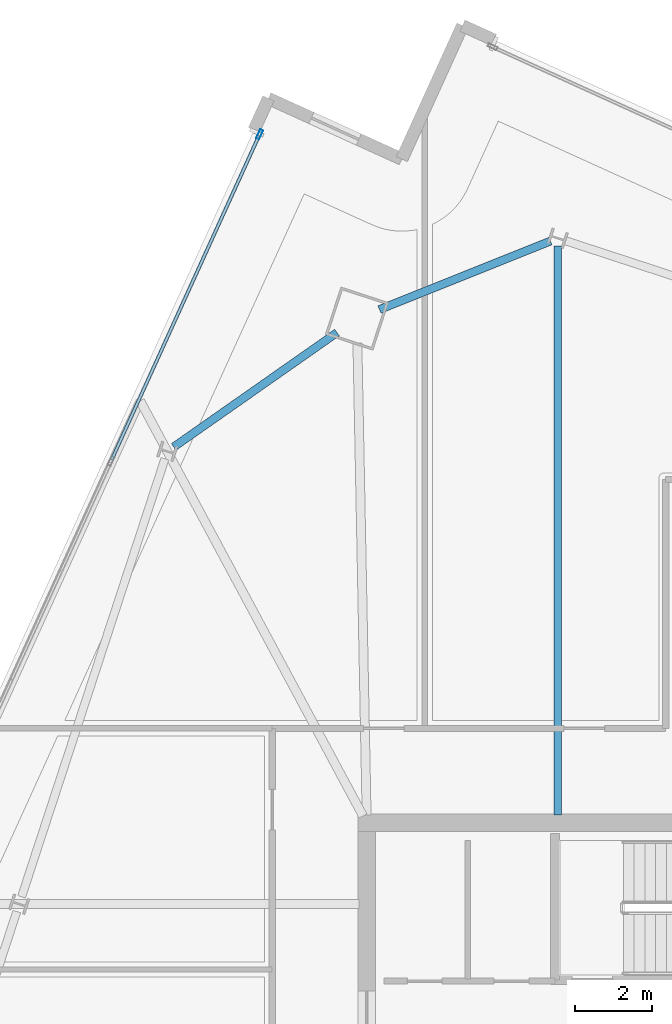
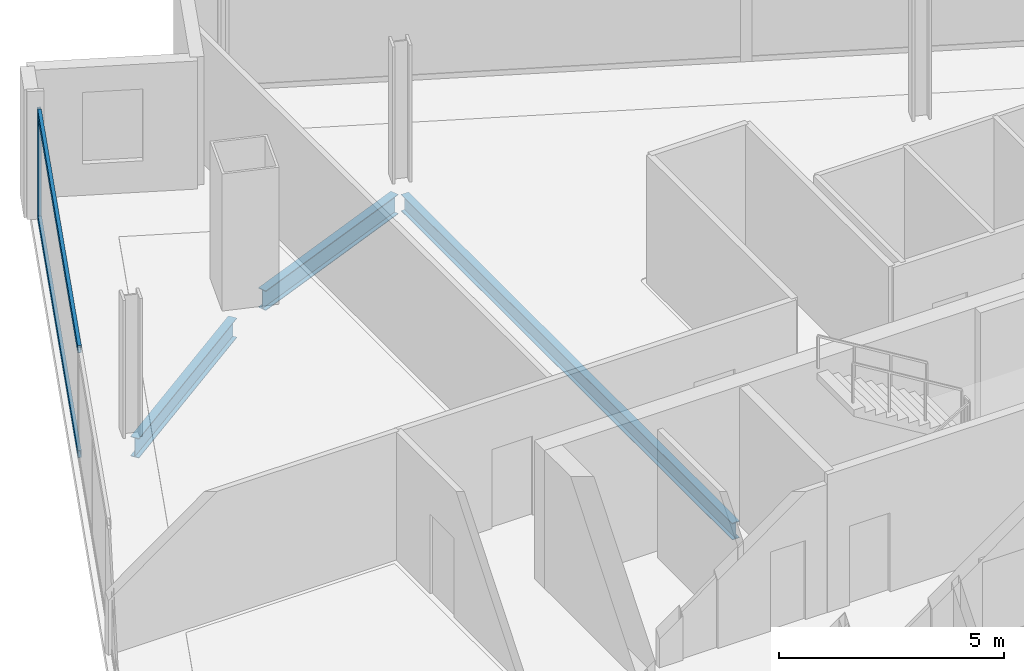
# One storey, part 13 of 26: 3 beams, 3 members, 1 element without a shape of its own.
"""IFC4 building model written with IfcOpenShell, lengths in metres."""

from ifc_helpers import new_model, si_unit, direction, frame, origin, origin_2d, place, context, subcontext, project, spatial, hollow_rectangle, i_section, extrude, material, material_profile, profile_set, type_object, element, aggregate, save


model = new_model("IFC4")

# Units and contexts
model_context = context("Model", 3, precision=1e-05, world=origin(), true_north=direction((0.0, 1.0)))
body_context = subcontext(model_context, "Body", "Model", "MODEL_VIEW")
ifc_project = project(units=[si_unit("LENGTHUNIT", "METRE"), si_unit("AREAUNIT", "SQUARE_METRE"), si_unit("VOLUMEUNIT", "CUBIC_METRE"), si_unit("PLANEANGLEUNIT", "RADIAN"), si_unit("MASSUNIT", "GRAM", prefix="KILO")], contexts=[model_context])

# Site, building, storey
site_placement = place(None, origin())
site = spatial("IfcSite", under=ifc_project, at=site_placement, CompositionType="ELEMENT")
building_placement = place(site_placement, origin())
building = spatial("IfcBuilding", under=site, at=building_placement, Name="Haldenkirk Collegiate Tower", CompositionType="ELEMENT")
storey_placement = place(building_placement, frame((0.0, 0.0, 248.699951171875)))
storey = spatial("IfcBuildingStorey", under=building, at=storey_placement, Name="L62", CompositionType="ELEMENT", Elevation=248.699951171875)

# Beams
ifc_material_1 = material(Name="Steel ASTM A992 Grade 50", Category="steel")
ifc_material_profile_1 = material_profile(ifc_material_1, i_section(OverallWidth=0.18994140625, OverallDepth=0.45703125, WebThickness=0.009033203125, FlangeThickness=0.014404296875, at=origin_2d()), Name="W18X50")
ifc_profile_set_1 = profile_set([ifc_material_profile_1], Name="Steel ASTM A992 Grade 50")
beam_type_1 = type_object("IfcBeamType", Name="BM-JOIST-W18X50", PredefinedType="JOIST", material=ifc_profile_set_1)
beam_1_placement = place(storey_placement, frame((31.949462890625, 48.955810546875, -0.49853515625), z_axis=(0.0, -1.0, 0.0), x_axis=(1.0, 0.0, 0.0)))
element("IfcBeam", 1, at=beam_1_placement, inside=storey, type_object=beam_type_1, Name="L62 composite floor joist 10", PredefinedType="JOIST", context=body_context, shape_type="SweptSolid", body=[
    extrude(i_section(OverallWidth=0.18994140625, OverallDepth=0.45703125, WebThickness=0.009033203125, FlangeThickness=0.014404296875, at=origin_2d()), origin(), (0.0, 0.0, 1.0), 14.750732421875),
])
ifc_material_profile_2 = material_profile(ifc_material_1, i_section(OverallWidth=0.2099609375, OverallDepth=0.537109375, WebThickness=0.010986328125, FlangeThickness=0.017333984375, at=origin_2d()), Name="W21X68")
ifc_profile_set_2 = profile_set([ifc_material_profile_2], Name="Steel ASTM A992 Grade 50")
beam_type_2 = type_object("IfcBeamType", Name="BM-SPANDREL-W21X68", PredefinedType="SPANDREL", material=ifc_profile_set_2)
beam_2_placement = place(storey_placement, frame((31.761474609375, 49.0830078125, -0.538330078125), z_axis=(-0.928296709602, -0.371840313768, 0.0), x_axis=(0.371840313768, -0.928296709602, 0.0)))
element("IfcBeam", 2, at=beam_2_placement, inside=storey, type_object=beam_type_2, Name="L62 perimeter spandrel beam 08", PredefinedType="SPANDREL", context=body_context, shape_type="SweptSolid", body=[
    extrude(i_section(OverallWidth=0.2099609375, OverallDepth=0.537109375, WebThickness=0.010986328125, FlangeThickness=0.017333984375, at=origin_2d()), origin(), (0.0, 0.0, 1.0), 4.77392578125),
])
beam_3_placement = place(storey_placement, frame((26.22900390625, 46.7119140625, -0.538330078125), z_axis=(-0.818927819185, -0.573896529842, 0.0), x_axis=(0.573896529842, -0.818927819185, 0.0)))
element("IfcBeam", 3, at=beam_3_placement, inside=storey, type_object=beam_type_2, Name="L62 perimeter spandrel beam 09", PredefinedType="SPANDREL", context=body_context, shape_type="SweptSolid", body=[
    extrude(i_section(OverallWidth=0.2099609375, OverallDepth=0.537109375, WebThickness=0.010986328125, FlangeThickness=0.017333984375, at=origin_2d()), origin(), (0.0, 0.0, 1.0), 5.169189453125),
])

# Curtain wall, members
ifc_material_2 = material(Name="Anodised architectural bronze aluminium", Category="aluminium")
curtain_wall_type = type_object("IfcCurtainWallType", Name="CW-SYS1B-CONVEX-HI", PredefinedType="USERDEFINED", material=ifc_material_2)
curtain_wall_placement = place(storey_placement, origin())
curtain_wall = element("IfcCurtainWall", 4, at=curtain_wall_placement, inside=storey, type_object=curtain_wall_type, Name="L62 Upper tower high-wind convex bronze unitised curtain wall", ObjectType="UNITISED CURTAIN WALL", PredefinedType="USERDEFINED")
ifc_material_profile_3 = material_profile(ifc_material_2, hollow_rectangle(XDim=0.0849609375, YDim=0.25, WallThickness=0.0048828125, at=origin_2d()), Name="CW-MUL-1B")
ifc_profile_set_3 = profile_set([ifc_material_profile_3], Name="Anodised architectural bronze aluminium")
member_type_1 = type_object("IfcMemberType", Name="CW-MUL-1B", PredefinedType="MULLION", material=ifc_profile_set_3)
member_1_placement = place(storey_placement, frame((24.22314453125, 51.85009765625, 0.0), z_axis=(0.0, 0.0, 1.0), x_axis=(-0.910322702591, 0.4138992355, 0.0)))
member_1 = element("IfcMember", 5, at=member_1_placement, type_object=member_type_1, Name="CW-1B mullion 5", PredefinedType="MULLION", context=body_context, shape_type="SweptSolid", body=[
    extrude(hollow_rectangle(XDim=0.0849609375, YDim=0.25, WallThickness=0.0048828125, at=origin_2d()), origin(), (0.0, 0.0, 1.0), 2.93798828125),
])
ifc_material_profile_4 = material_profile(ifc_material_2, hollow_rectangle(XDim=0.0849609375, YDim=0.199951171875, WallThickness=0.0048828125, at=origin_2d()), Name="CW-TRN-1B")
ifc_profile_set_4 = profile_set([ifc_material_profile_4], Name="Anodised architectural bronze aluminium")
member_type_2 = type_object("IfcMemberType", Name="CW-TRN-1B", PredefinedType="USERDEFINED", material=ifc_profile_set_4)
member_2_placement = place(storey_placement, frame((20.388427734375, 43.415771484375, 0.04248046875), z_axis=(0.413892693894, 0.910325676855, 0.0), x_axis=(-0.910325676855, 0.413892693894, 0.0)))
member_2 = element("IfcMember", 6, at=member_2_placement, type_object=member_type_2, Name="CW-1B transom 4.1", ObjectType="TRANSOM", PredefinedType="USERDEFINED", context=body_context, shape_type="SweptSolid", body=[
    extrude(hollow_rectangle(XDim=0.0849609375, YDim=0.199951171875, WallThickness=0.0048828125, at=origin_2d()), origin(), (0.0, 0.0, 1.0), 9.222412109375),
])
member_3_placement = place(storey_placement, frame((20.388427734375, 43.415771484375, 2.8955078125), z_axis=(0.413892693894, 0.910325676855, 0.0), x_axis=(-0.910325676855, 0.413892693894, 0.0)))
member_3 = element("IfcMember", 7, at=member_3_placement, type_object=member_type_2, Name="CW-1B transom 4.2", ObjectType="TRANSOM", PredefinedType="USERDEFINED", context=body_context, shape_type="SweptSolid", body=[
    extrude(hollow_rectangle(XDim=0.0849609375, YDim=0.199951171875, WallThickness=0.0048828125, at=origin_2d()), origin(), (0.0, 0.0, 1.0), 9.222412109375),
])
aggregate(curtain_wall, [member_1, member_2, member_3])

save(model, "model.ifc")
